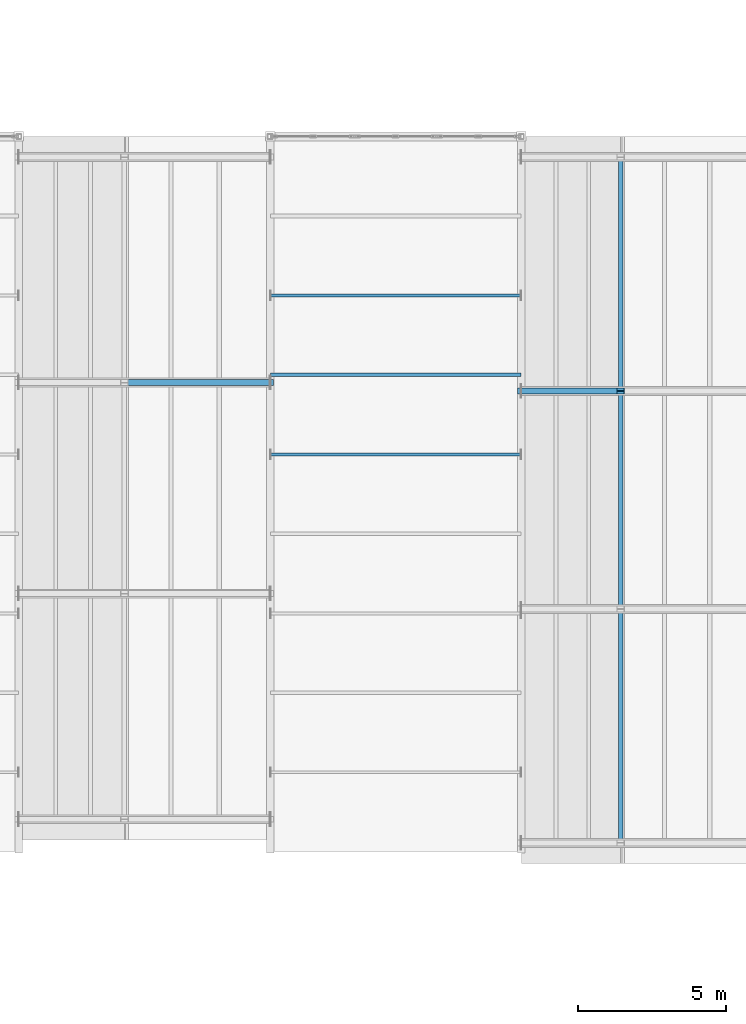
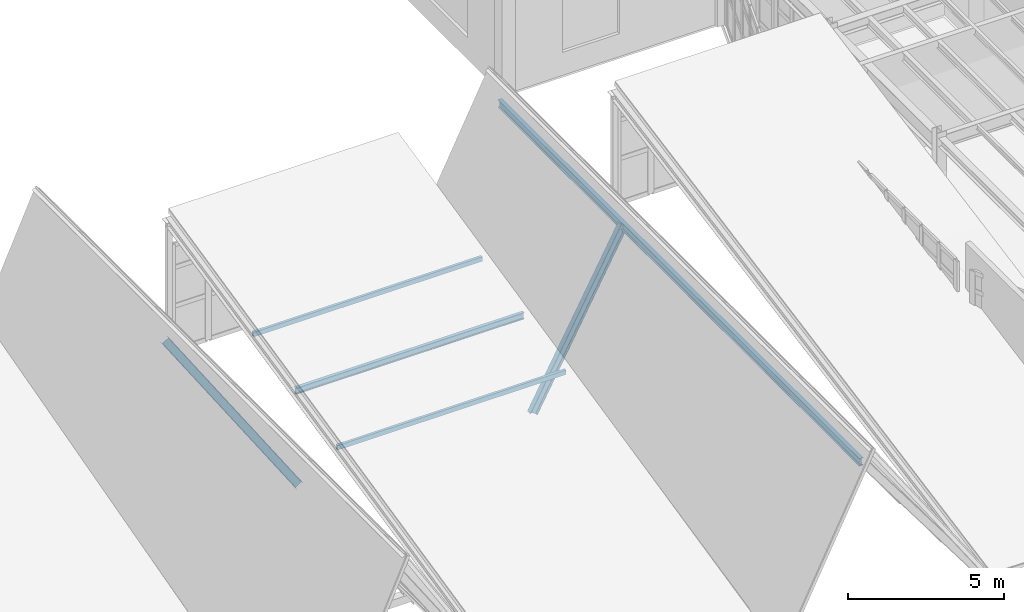
# One storey, part 21 of 77: 6 members.
"""IFC4 building model written with IfcOpenShell, lengths in metres."""

from ifc_helpers import new_model, si_unit, direction, frame, origin, origin_2d, place, context, subcontext, project, spatial, hollow_rectangle, i_section, extrude, material, material_profile, profile_set, type_object, element, save


model = new_model("IFC4")

# Units and contexts
model_context = context("Model", 3, precision=1e-05, world=origin(), true_north=direction((0.0, 1.0)))
body_context = subcontext(model_context, "Body", "Model", "MODEL_VIEW")
ifc_project = project(units=[si_unit("LENGTHUNIT", "METRE"), si_unit("AREAUNIT", "SQUARE_METRE"), si_unit("VOLUMEUNIT", "CUBIC_METRE"), si_unit("PLANEANGLEUNIT", "RADIAN"), si_unit("MASSUNIT", "GRAM", prefix="KILO"), si_unit("THERMODYNAMICTEMPERATUREUNIT", "KELVIN"), si_unit("POWERUNIT", "WATT")], contexts=[model_context])

# Site, building, storey
site_placement = place(None, origin())
site = spatial("IfcSite", under=ifc_project, at=site_placement, CompositionType="ELEMENT")
building_placement = place(site_placement, origin())
building = spatial("IfcBuilding", under=site, at=building_placement, Name="Zhenchuan Central Fire Station", CompositionType="ELEMENT")
storey_placement = place(building_placement, frame((0.0, 0.0, 10.050048828125)))
storey = spatial("IfcBuildingStorey", under=building, at=storey_placement, Name="L03", CompositionType="ELEMENT", Elevation=10.050048828125)

# Members
ifc_material = material(Name="Steel Q355B", Category="steel")
ifc_material_profile_1 = material_profile(ifc_material, i_section(OverallWidth=0.125, OverallDepth=0.25, WebThickness=0.006103515625, FlangeThickness=0.009033203125, FilletRadius=0.011962890625, at=origin_2d()), Name="HN 250x125")
ifc_profile_set_1 = profile_set([ifc_material_profile_1], Name="Steel Q355B")
member_type_1 = type_object("IfcMemberType", Name="MB-PR-HN250", PredefinedType="PURLIN", material=ifc_profile_set_1)
member_1_placement = place(storey_placement, frame((115.514892578125, 27.433349609375, 3.188232421875), z_axis=(1.0, 0.0, 0.0), x_axis=(0.0, 1.0, 0.0)))
element("IfcMember", 1, at=member_1_placement, inside=storey, type_object=member_type_1, Name="Pavilion H08 Roof Purlin 6", PredefinedType="PURLIN", context=body_context, shape_type="SweptSolid", body=[
    extrude(i_section(OverallWidth=0.125, OverallDepth=0.25, WebThickness=0.006103515625, FlangeThickness=0.009033203125, FilletRadius=0.011962890625, at=origin_2d()), origin(), (0.0, 0.0, 1.0), 8.47021484375),
])
ifc_material_profile_2 = material_profile(ifc_material, i_section(OverallWidth=0.14990234375, OverallDepth=0.300048828125, WebThickness=0.006591796875, FlangeThickness=0.009033203125, FilletRadius=0.012939453125, at=origin_2d()), Name="HN 300x150")
ifc_profile_set_2 = profile_set([ifc_material_profile_2], Name="Steel Q355B")
member_type_2 = type_object("IfcMemberType", Name="MB-PR-HN300", PredefinedType="PURLIN", material=ifc_profile_set_2)
member_2_placement = place(storey_placement, frame((127.360107421875, 11.60009765625, 5.84765625), z_axis=(0.0, 1.0, 0.0), x_axis=(-1.0, 0.0, 0.0)))
element("IfcMember", 2, at=member_2_placement, inside=storey, type_object=member_type_2, Name="Pavilion H09 Gable Ridge Purlin", PredefinedType="PURLIN", context=body_context, shape_type="SweptSolid", body=[
    extrude(i_section(OverallWidth=0.14990234375, OverallDepth=0.300048828125, WebThickness=0.006591796875, FlangeThickness=0.009033203125, FilletRadius=0.012939453125, at=origin_2d()), origin(), (0.0, 0.0, 1.0), 23.199951171875),
])
ifc_material_profile_3 = material_profile(ifc_material, hollow_rectangle(XDim=0.10009765625, YDim=0.179931640625, WallThickness=0.008056640625, at=origin_2d()), Name="RHS 180x100x8")
ifc_profile_set_3 = profile_set([ifc_material_profile_3], Name="Steel Q355B")
member_type_3 = type_object("IfcMemberType", Name="MB-PR-RHS180", PredefinedType="PURLIN", material=ifc_profile_set_3)
for number, where, z_axis, x_axis, name in (
    (3, (115.514892578125, 24.744384765625, 2.601806640625), (1.0, 0.0, 0.0), (0.0, 1.0, 0.0), "Pavilion H08 Roof Purlin 5"),
    (4, (115.514892578125, 30.122314453125, 3.774658203125), (1.0, 0.0, 0.0), (0.0, 1.0, 0.0), "Pavilion H08 Roof Purlin 7"),
):
    element("IfcMember", number, at=place(storey_placement, frame(where, z_axis=z_axis, x_axis=x_axis)), inside=storey, type_object=member_type_3, Name=name, PredefinedType="PURLIN", context=body_context, shape_type="SweptSolid", body=[
        extrude(hollow_rectangle(XDim=0.10009765625, YDim=0.179931640625, WallThickness=0.008056640625, at=origin_2d()), origin(), (0.0, 0.0, 1.0), 8.47021484375),
    ])
ifc_material_profile_4 = material_profile(ifc_material, i_section(OverallWidth=0.199951171875, OverallDepth=0.2939453125, WebThickness=0.008056640625, FlangeThickness=0.011962890625, FilletRadius=0.01611328125, at=origin_2d()), Name="HM 294x200")
ifc_profile_set_4 = profile_set([ifc_material_profile_4], Name="Steel Q355B")
member_type_4 = type_object("IfcMemberType", Name="MB-RF-HM294", PredefinedType="RAFTER", material=ifc_profile_set_4)
member_3_placement = place(storey_placement, frame((110.570068359375, 27.169921875, 7.03564453125), z_axis=(0.55621849058, 0.0, -0.831036094726), x_axis=(0.0, 1.0, 0.0)))
element("IfcMember", 5, at=member_3_placement, inside=storey, type_object=member_type_4, Name="Pavilion H07 East Gable Rafter 3", PredefinedType="RAFTER", context=body_context, shape_type="SweptSolid", body=[
    extrude(i_section(OverallWidth=0.199951171875, OverallDepth=0.2939453125, WebThickness=0.008056640625, FlangeThickness=0.011962890625, FilletRadius=0.01611328125, at=origin_2d()), origin(), (0.0, 0.0, 1.0), 8.86328125),
])
member_4_placement = place(storey_placement, frame((124.0, 26.889892578125, -0.330078125), z_axis=(0.474832085086, 0.0, 0.880076412008), x_axis=(0.0, 1.0, 0.0)))
element("IfcMember", 6, at=member_4_placement, inside=storey, type_object=member_type_4, Name="Pavilion H09 West Gable Rafter 3", PredefinedType="RAFTER", context=body_context, shape_type="SweptSolid", body=[
    extrude(i_section(OverallWidth=0.199951171875, OverallDepth=0.2939453125, WebThickness=0.008056640625, FlangeThickness=0.011962890625, FilletRadius=0.01611328125, at=origin_2d()), origin(), (0.0, 0.0, 1.0), 7.076416015625),
])

save(model, "model.ifc")
